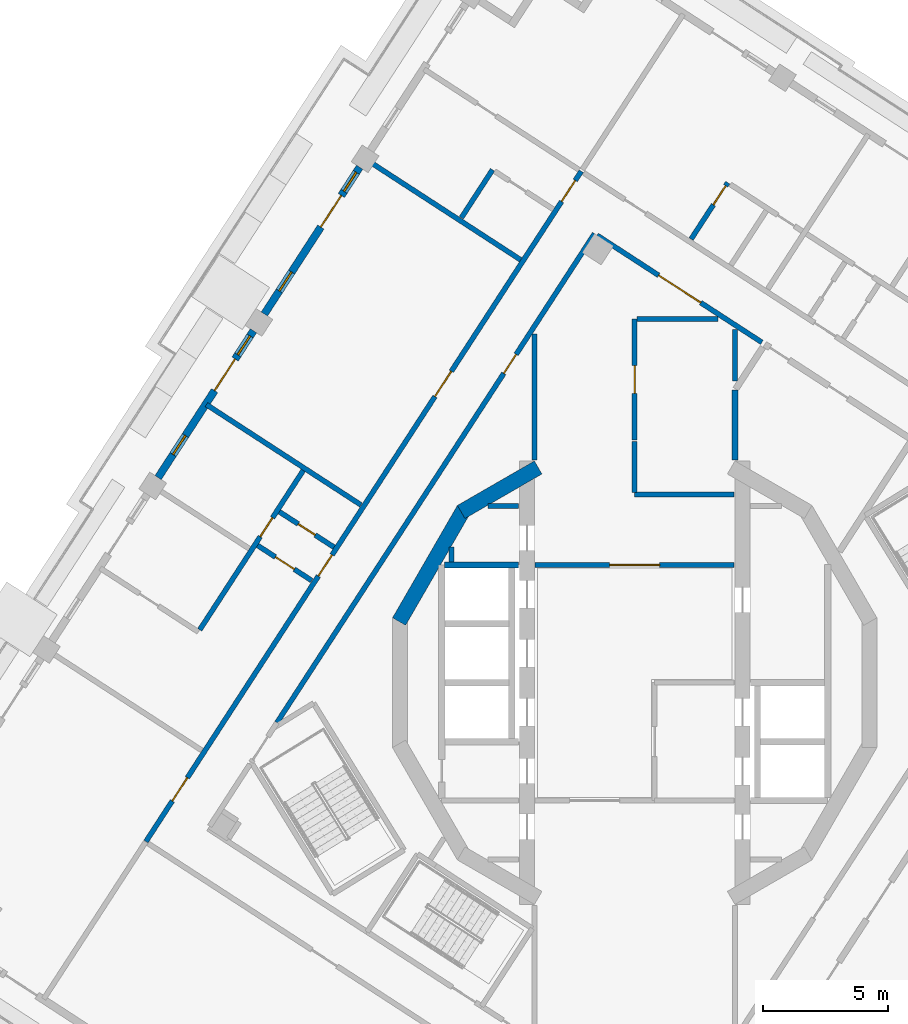
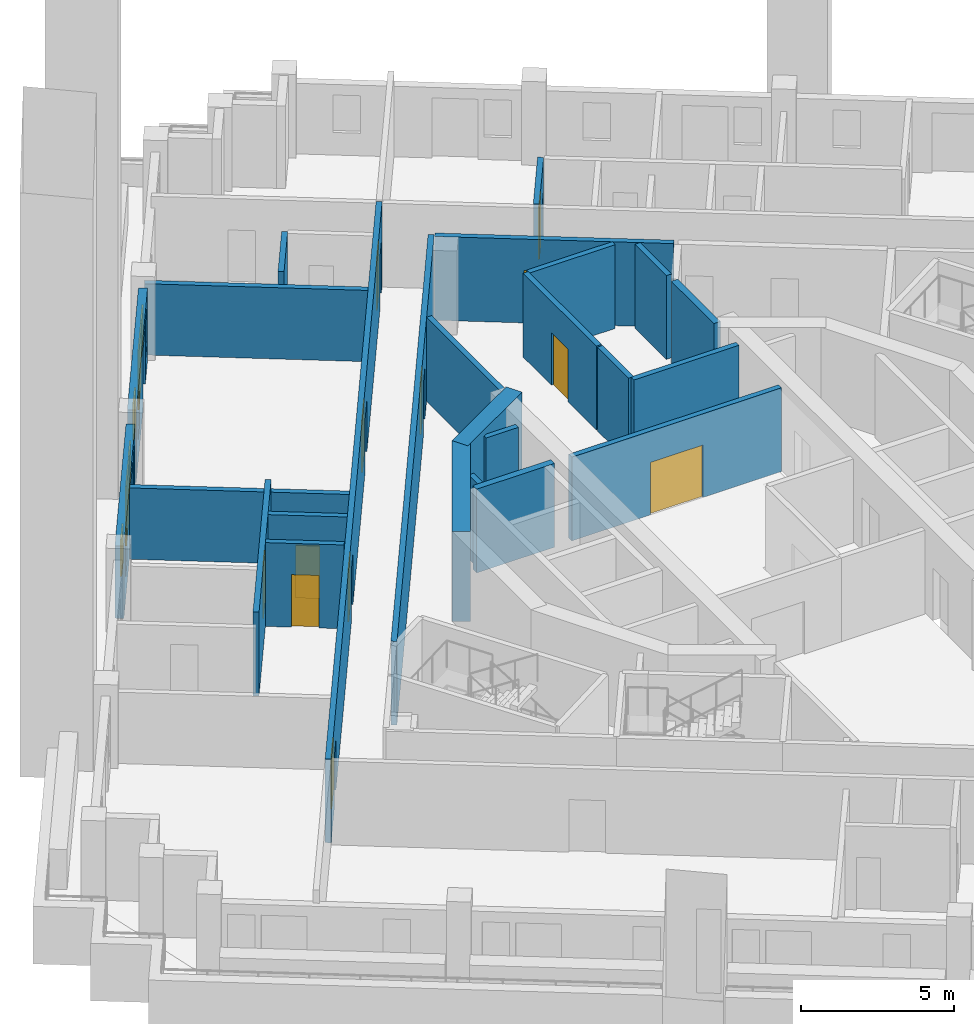
# One storey, part 6 of 15: 25 walls, 14 doors, 4 windows, 18 openings.
"""IFC4 building model written with IfcOpenShell, lengths in metres."""

from ifc_helpers import new_model, si_unit, direction, frame, frame_2d, origin, place, context, subcontext, project, spatial, rectangle, extrude, material, layer, layer_set, type_object, element, fill, save


model = new_model("IFC4")

# Units and contexts
model_context = context("Model", 3, precision=1e-05, world=origin(), true_north=direction((0.0, 1.0)))
body_context = subcontext(model_context, "Body", "Model", "MODEL_VIEW")
ifc_project = project(units=[si_unit("LENGTHUNIT", "METRE"), si_unit("AREAUNIT", "SQUARE_METRE"), si_unit("VOLUMEUNIT", "CUBIC_METRE"), si_unit("PLANEANGLEUNIT", "RADIAN"), si_unit("MASSUNIT", "GRAM", prefix="KILO")], contexts=[model_context])

# Site, building, storey
site_placement = place(None, origin())
site = spatial("IfcSite", under=ifc_project, at=site_placement, CompositionType="ELEMENT")
building_placement = place(site_placement, origin())
building = spatial("IfcBuilding", under=site, at=building_placement, Name="Cantera Rosa Tower", CompositionType="ELEMENT")
storey_placement = place(building_placement, frame((0.0, 0.0, 250.5)))
storey = spatial("IfcBuildingStorey", under=building, at=storey_placement, Name="L55", CompositionType="ELEMENT", Elevation=250.5)

# Wall
ifc_material_1 = material(Name="Gypsum board partition")
ifc_layer_1 = layer(ifc_material_1, 0.199951171875)
ifc_layer_set_1 = layer_set([ifc_layer_1], Name="CORRIDOR WALL 200 H3350")
wall_type_1 = type_object("IfcWallType", Name="CORRIDOR WALL 200 H3350", PredefinedType="PARTITIONING", material=ifc_layer_set_1)
wall_1_placement = place(storey_placement, frame((-4.0, 13.90087890625, 0.0), z_axis=(0.0, 0.0, 1.0), x_axis=(0.0, -1.0, 0.0)))
element("IfcWall", 1, at=wall_1_placement, inside=storey, type_object=wall_type_1, Name="CORRIDOR WALL L55-041", PredefinedType="PARTITIONING", context=body_context, shape_type="SweptSolid", body=[
    extrude(rectangle(XDim=5.02197265625, YDim=0.199951171875, at=frame_2d((2.510986328125, 0.0))), origin(), (0.0, 0.0, 1.0), 3.35009765625),
])

# Wall, opening, door
wall_2_placement = place(storey_placement, frame((-3.969970703125, 4.699951171875, 0.0), z_axis=(0.0, 0.0, 1.0), x_axis=(1.0, 0.0, 0.0)))
wall_2 = element("IfcWall", 2, at=wall_2_placement, inside=storey, type_object=wall_type_1, Name="CORRIDOR WALL L55-042", PredefinedType="PARTITIONING", context=body_context, shape_type="SweptSolid", body=[
    extrude(rectangle(XDim=7.93994140625, YDim=0.199951171875, at=frame_2d((3.969970703125, 0.0))), origin(), (0.0, 0.0, 1.0), 3.35009765625),
])
opening_1_placement = place(wall_2_placement, frame((2.969970703125, 0.0, 0.0)))
opening_1 = element("IfcOpeningElement", 3, at=opening_1_placement, cuts=wall_2, Name="Opening L55-009", PredefinedType="OPENING", context=body_context, shape_type="SweptSolid", body=[
    extrude(rectangle(XDim=2.0, YDim=2.10009765625, at=frame_2d((1.0, 1.050048828125))), frame((0.0, 0.10986328125, 0.0), z_axis=(0.0, -1.0, 0.0), x_axis=(1.0, 0.0, 0.0)), (0.0, 0.0, 1.0), 0.219970703125),
])
ifc_material_2 = material(Name="Steel S355J2 (EN 10025-2)", Category="steel")
door_type_1 = type_object("IfcDoorType", Name="LOBBY SCREEN DOOR 2000x2100", OperationType="NOTDEFINED", PredefinedType="DOOR", material=ifc_material_2)
door_1_placement = place(opening_1_placement, origin())
door_1 = element("IfcDoor", 4, at=door_1_placement, inside=storey, type_object=door_type_1, Name="DOOR L55-009", OperationType="NOTDEFINED", OverallHeight=2.10009765625, OverallWidth=2.0, PredefinedType="DOOR", context=body_context, shape_type="SweptSolid", body=[
    extrude(rectangle(XDim=2.0, YDim=2.10009765625, at=frame_2d((1.0, 1.050048828125))), frame((0.0, 0.02490234375, 0.0), z_axis=(0.0, -1.0, 0.0), x_axis=(1.0, 0.0, 0.0)), (0.0, 0.0, 1.0), 0.050048828125),
])
fill(opening_1, door_1)

# Wall, openings, doors
wall_3_placement = place(storey_placement, frame((-2.1318359375, 20.402587890625, 0.0), z_axis=(0.0, 0.0, 1.0), x_axis=(-0.544643219415, -0.838667850549, 0.0)))
wall_3 = element("IfcWall", 5, at=wall_3_placement, inside=storey, type_object=wall_type_1, Name="CORRIDOR WALL L55-046", PredefinedType="PARTITIONING", context=body_context, shape_type="SweptSolid", body=[
    extrude(rectangle(XDim=31.880126953125, YDim=0.199951171875, at=frame_2d((15.93994140625, 0.0))), origin(), (0.0, 0.0, 1.0), 3.35009765625),
])
opening_2_placement = place(wall_3_placement, frame((9.514892578125, 0.0, 0.0)))
opening_2 = element("IfcOpeningElement", 6, at=opening_2_placement, cuts=wall_3, Name="Opening L55-027", PredefinedType="OPENING", context=body_context, shape_type="SweptSolid", body=[
    extrude(rectangle(XDim=1.199951171875, YDim=2.10009765625, at=frame_2d((0.60009765625, 1.050048828125))), frame((0.0, 0.10986328125, 0.0), z_axis=(0.0, -1.0, 0.0), x_axis=(1.0, 0.0, 0.0)), (0.0, 0.0, 1.0), 0.219970703125),
])
opening_3_placement = place(wall_3_placement, frame((18.25, 0.0, 0.0)))
opening_3 = element("IfcOpeningElement", 7, at=opening_3_placement, cuts=wall_3, Name="Opening L55-028", PredefinedType="OPENING", context=body_context, shape_type="SweptSolid", body=[
    extrude(rectangle(XDim=1.0, YDim=2.10009765625, at=frame_2d((0.5, 1.050048828125))), frame((0.0, 0.10986328125, 0.0), z_axis=(0.0, -1.0, 0.0), x_axis=(1.0, 0.0, 0.0)), (0.0, 0.0, 1.0), 0.219970703125),
])
opening_4_placement = place(wall_3_placement, frame((0.43994140625, 0.0, 0.0)))
opening_4 = element("IfcOpeningElement", 8, at=opening_4_placement, cuts=wall_3, Name="Opening L55-033", PredefinedType="OPENING", context=body_context, shape_type="SweptSolid", body=[
    extrude(rectangle(XDim=1.0, YDim=2.10009765625, at=frame_2d((0.5, 1.050048828125))), frame((0.0, 0.10986328125, 0.0), z_axis=(0.0, -1.0, 0.0), x_axis=(1.0, 0.0, 0.0)), (0.0, 0.0, 1.0), 0.219970703125),
])
opening_5_placement = place(wall_3_placement, frame((28.85009765625, 0.0, 0.0)))
opening_5 = element("IfcOpeningElement", 9, at=opening_5_placement, cuts=wall_3, Name="Opening L55-036", PredefinedType="OPENING", context=body_context, shape_type="SweptSolid", body=[
    extrude(rectangle(XDim=1.10009765625, YDim=2.10009765625, at=frame_2d((0.550048828125, 1.050048828125))), frame((0.0, 0.10986328125, 0.0), z_axis=(0.0, -1.0, 0.0), x_axis=(1.0, 0.0, 0.0)), (0.0, 0.0, 1.0), 0.219970703125),
])
ifc_material_3 = material(Name="Timber door leaf", Category="wood")
door_type_2 = type_object("IfcDoorType", Name="ENTRANCE DOOR 1000x2100", OperationType="NOTDEFINED", PredefinedType="DOOR", material=ifc_material_3)
door_2_placement = place(opening_3_placement, origin())
door_2 = element("IfcDoor", 10, at=door_2_placement, inside=storey, type_object=door_type_2, Name="DOOR L55-028", OperationType="NOTDEFINED", OverallHeight=2.10009765625, OverallWidth=1.0, PredefinedType="DOOR", context=body_context, shape_type="SweptSolid", body=[
    extrude(rectangle(XDim=1.0, YDim=2.10009765625, at=frame_2d((0.5, 1.050048828125))), frame((0.0, 0.02490234375, 0.0), z_axis=(0.0, -1.0, 0.0), x_axis=(1.0, 0.0, 0.0)), (0.0, 0.0, 1.0), 0.050048828125),
])
fill(opening_3, door_2)
door_3_placement = place(opening_4_placement, origin())
door_3 = element("IfcDoor", 11, at=door_3_placement, inside=storey, type_object=door_type_2, Name="DOOR L55-033", OperationType="NOTDEFINED", OverallHeight=2.10009765625, OverallWidth=1.0, PredefinedType="DOOR", context=body_context, shape_type="SweptSolid", body=[
    extrude(rectangle(XDim=1.0, YDim=2.10009765625, at=frame_2d((0.5, 1.050048828125))), frame((0.0, 0.02490234375, 0.0), z_axis=(0.0, -1.0, 0.0), x_axis=(1.0, 0.0, 0.0)), (0.0, 0.0, 1.0), 0.050048828125),
])
fill(opening_4, door_3)
ifc_material_4 = material(Name="Timber door leaf", Category="wood")
door_type_3 = type_object("IfcDoorType", Name="ROOM DOOR 1100x2100", OperationType="NOTDEFINED", PredefinedType="DOOR", material=ifc_material_4)
door_4_placement = place(opening_5_placement, origin())
door_4 = element("IfcDoor", 12, at=door_4_placement, inside=storey, type_object=door_type_3, Name="DOOR L55-036", OperationType="NOTDEFINED", OverallHeight=2.10009765625, OverallWidth=1.10009765625, PredefinedType="DOOR", context=body_context, shape_type="SweptSolid", body=[
    extrude(rectangle(XDim=1.10009765625, YDim=2.10009765625, at=frame_2d((0.550048828125, 1.050048828125))), frame((0.0, 0.02490234375, 0.0), z_axis=(0.0, -1.0, 0.0), x_axis=(1.0, 0.0, 0.0)), (0.0, 0.0, 1.0), 0.050048828125),
])
fill(opening_5, door_4)
ifc_material_5 = material(Name="Timber door leaf", Category="wood")
door_type_4 = type_object("IfcDoorType", Name="ROOM DOOR 1200x2100", OperationType="NOTDEFINED", PredefinedType="DOOR", material=ifc_material_5)
door_5_placement = place(opening_2_placement, origin())
door_5 = element("IfcDoor", 13, at=door_5_placement, inside=storey, type_object=door_type_4, Name="DOOR L55-027", OperationType="NOTDEFINED", OverallHeight=2.10009765625, OverallWidth=1.199951171875, PredefinedType="DOOR", context=body_context, shape_type="SweptSolid", body=[
    extrude(rectangle(XDim=1.199951171875, YDim=2.10009765625, at=frame_2d((0.60009765625, 1.050048828125))), frame((0.0, 0.02490234375, 0.0), z_axis=(0.0, -1.0, 0.0), x_axis=(1.0, 0.0, 0.0)), (0.0, 0.0, 1.0), 0.050048828125),
])
fill(opening_2, door_5)

# Wall, opening, door
wall_4_placement = place(storey_placement, frame((-1.6025390625, 17.91259765625, 0.0), z_axis=(0.0, 0.0, 1.0), x_axis=(-0.544642173362, -0.838668529871, 0.0)))
wall_4 = element("IfcWall", 14, at=wall_4_placement, inside=storey, type_object=wall_type_1, Name="CORRIDOR WALL L55-050", PredefinedType="PARTITIONING", context=body_context, shape_type="SweptSolid", body=[
    extrude(rectangle(XDim=23.255126953125, YDim=0.199951171875, at=frame_2d((11.62744140625, 0.0))), origin(), (0.0, 0.0, 1.0), 3.35009765625),
])
opening_6_placement = place(wall_4_placement, frame((5.744140625, 0.0, 0.0)))
opening_6 = element("IfcOpeningElement", 15, at=opening_6_placement, cuts=wall_4, Name="Opening L55-004", PredefinedType="OPENING", context=body_context, shape_type="SweptSolid", body=[
    extrude(rectangle(XDim=0.89990234375, YDim=2.10009765625, at=frame_2d((0.449951171875, 1.050048828125))), frame((0.0, 0.10986328125, 0.0), z_axis=(0.0, -1.0, 0.0), x_axis=(1.0, 0.0, 0.0)), (0.0, 0.0, 1.0), 0.219970703125),
])
ifc_material_6 = material(Name="Timber door leaf", Category="wood")
door_type_5 = type_object("IfcDoorType", Name="SERVICE DOOR 900x2100", OperationType="NOTDEFINED", PredefinedType="DOOR", material=ifc_material_6)
door_6_placement = place(opening_6_placement, origin())
door_6 = element("IfcDoor", 16, at=door_6_placement, inside=storey, type_object=door_type_5, Name="DOOR L55-004", OperationType="NOTDEFINED", OverallHeight=2.10009765625, OverallWidth=0.89990234375, PredefinedType="DOOR", context=body_context, shape_type="SweptSolid", body=[
    extrude(rectangle(XDim=0.89990234375, YDim=2.10009765625, at=frame_2d((0.449951171875, 1.050048828125))), frame((0.0, 0.02490234375, 0.0), z_axis=(0.0, -1.0, 0.0), x_axis=(1.0, 0.0, 0.0)), (0.0, 0.0, 1.0), 0.050048828125),
])
fill(opening_6, door_6)

# Walls
wall_5_placement = place(storey_placement, frame((0.0, 7.5, 0.0), z_axis=(0.0, 0.0, 1.0), x_axis=(1.0, 0.0, 0.0)))
element("IfcWall", 17, at=wall_5_placement, inside=storey, type_object=wall_type_1, Name="CORRIDOR WALL L55-051", PredefinedType="PARTITIONING", context=body_context, shape_type="SweptSolid", body=[
    extrude(rectangle(XDim=3.969970703125, YDim=0.199951171875, at=frame_2d((1.98486328125, 0.0))), origin(), (0.0, 0.0, 1.0), 3.35009765625),
])
wall_6_placement = place(storey_placement, frame((0.0, 9.62939453125, 0.0), z_axis=(0.0, 0.0, 1.0), x_axis=(0.0, -1.0, 0.0)))
element("IfcWall", 18, at=wall_6_placement, inside=storey, type_object=wall_type_1, Name="CORRIDOR WALL L55-052", PredefinedType="PARTITIONING", context=body_context, shape_type="SweptSolid", body=[
    extrude(rectangle(XDim=2.04931640625, YDim=0.199951171875, at=frame_2d((1.024658203125, 0.0))), origin(), (0.0, 0.0, 1.0), 3.35009765625),
])

# Wall, opening, door
wall_7_placement = place(storey_placement, frame((0.0, 14.5, 0.0), z_axis=(0.0, 0.0, 1.0), x_axis=(0.0, -1.0, 0.0)))
wall_7 = element("IfcWall", 19, at=wall_7_placement, inside=storey, type_object=wall_type_1, Name="CORRIDOR WALL L55-053", PredefinedType="PARTITIONING", context=body_context, shape_type="SweptSolid", body=[
    extrude(rectangle(XDim=4.810791015625, YDim=0.199951171875, at=frame_2d((2.4052734375, 0.0))), origin(), (0.0, 0.0, 1.0), 3.35009765625),
])
opening_7_placement = place(wall_7_placement, frame((1.85546875, 0.0, 0.0)))
opening_7 = element("IfcOpeningElement", 20, at=opening_7_placement, cuts=wall_7, Name="Opening L55-013", PredefinedType="OPENING", context=body_context, shape_type="SweptSolid", body=[
    extrude(rectangle(XDim=1.10009765625, YDim=2.10009765625, at=frame_2d((0.550048828125, 1.050048828125))), frame((0.0, 0.10986328125, 0.0), z_axis=(0.0, -1.0, 0.0), x_axis=(1.0, 0.0, 0.0)), (0.0, 0.0, 1.0), 0.219970703125),
])
door_7_placement = place(opening_7_placement, origin())
door_7 = element("IfcDoor", 21, at=door_7_placement, inside=storey, type_object=door_type_3, Name="DOOR L55-013", OperationType="NOTDEFINED", OverallHeight=2.10009765625, OverallWidth=1.10009765625, PredefinedType="DOOR", context=body_context, shape_type="SweptSolid", body=[
    extrude(rectangle(XDim=1.10009765625, YDim=2.10009765625, at=frame_2d((0.550048828125, 1.050048828125))), frame((0.0, 0.02490234375, 0.0), z_axis=(0.0, -1.0, 0.0), x_axis=(1.0, 0.0, 0.0)), (0.0, 0.0, 1.0), 0.050048828125),
])
fill(opening_7, door_7)

# Wall
wall_8_placement = place(storey_placement, frame((3.33251953125, 14.5, 0.0), z_axis=(0.0, 0.0, 1.0), x_axis=(-1.0, 0.0, 0.0)))
element("IfcWall", 22, at=wall_8_placement, inside=storey, type_object=wall_type_1, Name="CORRIDOR WALL L55-062", PredefinedType="PARTITIONING", context=body_context, shape_type="SweptSolid", body=[
    extrude(rectangle(XDim=3.232421875, YDim=0.199951171875, at=frame_2d((1.6162109375, 0.0))), origin(), (0.0, 0.0, 1.0), 3.35009765625),
])

# Wall, opening, door
wall_9_placement = place(storey_placement, frame((5.0732421875, 13.577392578125, 0.0), z_axis=(0.0, 0.0, 1.0), x_axis=(-0.838668367485, 0.544642423411, 0.0)))
wall_9 = element("IfcWall", 23, at=wall_9_placement, inside=storey, type_object=wall_type_1, Name="CORRIDOR WALL L55-074", PredefinedType="PARTITIONING", context=body_context, shape_type="SweptSolid", body=[
    extrude(rectangle(XDim=7.840087890625, YDim=0.199951171875, at=frame_2d((3.919921875, 0.0))), origin(), (0.0, 0.0, 1.0), 3.35009765625),
])
opening_8_placement = place(wall_9_placement, frame((2.909912109375, 0.0, 0.0)))
opening_8 = element("IfcOpeningElement", 24, at=opening_8_placement, cuts=wall_9, Name="Opening L55-008", PredefinedType="OPENING", context=body_context, shape_type="SweptSolid", body=[
    extrude(rectangle(XDim=2.0, YDim=2.10009765625, at=frame_2d((1.0, 1.050048828125))), frame((0.0, 0.10986328125, 0.0), z_axis=(0.0, -1.0, 0.0), x_axis=(1.0, 0.0, 0.0)), (0.0, 0.0, 1.0), 0.219970703125),
])
door_8_placement = place(opening_8_placement, origin())
door_8 = element("IfcDoor", 25, at=door_8_placement, inside=storey, type_object=door_type_1, Name="DOOR L55-008", OperationType="NOTDEFINED", OverallHeight=2.10009765625, OverallWidth=2.0, PredefinedType="DOOR", context=body_context, shape_type="SweptSolid", body=[
    extrude(rectangle(XDim=2.0, YDim=2.10009765625, at=frame_2d((1.0, 1.050048828125))), frame((0.0, 0.02490234375, 0.0), z_axis=(0.0, -1.0, 0.0), x_axis=(1.0, 0.0, 0.0)), (0.0, 0.0, 1.0), 0.050048828125),
])
fill(opening_8, door_8)

# Wall, openings, windows, door
ifc_material_7 = material(Name="Hollow clay masonry with cantera stone cladding", Category="masonry")
ifc_layer_2 = layer(ifc_material_7, 0.300048828125)
ifc_layer_set_2 = layer_set([ifc_layer_2], Name="EW-LOGGIA 300 H2890")
wall_type_2 = type_object("IfcWallType", Name="EW-LOGGIA 300 H2890", PredefinedType="SOLIDWALL", material=ifc_layer_set_2)
wall_10_placement = place(storey_placement, frame((-10.970703125, 20.5625, 0.0), z_axis=(0.0, 0.0, 1.0), x_axis=(-0.544651451949, -0.838662504164, 0.0)))
wall_10 = element("IfcWall", 26, at=wall_10_placement, inside=storey, type_object=wall_type_2, Name="EN-L55-W08", PredefinedType="SOLIDWALL", context=body_context, shape_type="SweptSolid", body=[
    extrude(rectangle(XDim=6.980224609375, YDim=0.300048828125, at=frame_2d((3.490234375, 0.0))), origin(), (0.0, 0.0, 1.0), 2.889892578125),
])
opening_9_placement = place(wall_10_placement, frame((0.2451171875, 0.0, 0.89990234375)))
opening_9 = element("IfcOpeningElement", 27, at=opening_9_placement, cuts=wall_10, Name="Opening L55-W16", PredefinedType="OPENING", context=body_context, shape_type="SweptSolid", body=[
    extrude(rectangle(XDim=0.89990234375, YDim=1.5, at=frame_2d((0.449951171875, 0.75))), frame((0.0, 0.159912109375, 0.0), z_axis=(0.0, -1.0, 0.0), x_axis=(1.0, 0.0, 0.0)), (0.0, 0.0, 1.0), 0.320068359375),
])
opening_10_placement = place(wall_10_placement, frame((1.344970703125, 0.0, 0.0)))
opening_10 = element("IfcOpeningElement", 28, at=opening_10_placement, cuts=wall_10, Name="Opening L55-TD17", PredefinedType="OPENING", context=body_context, shape_type="SweptSolid", body=[
    extrude(rectangle(XDim=1.5, YDim=2.39990234375, at=frame_2d((0.75, 1.199951171875))), frame((0.0, 0.159912109375, 0.0), z_axis=(0.0, -1.0, 0.0), x_axis=(1.0, 0.0, 0.0)), (0.0, 0.0, 1.0), 0.320068359375),
])
opening_11_placement = place(wall_10_placement, frame((4.985107421875, 0.0, 0.89990234375)))
opening_11 = element("IfcOpeningElement", 29, at=opening_11_placement, cuts=wall_10, Name="Opening L55-W18", PredefinedType="OPENING", context=body_context, shape_type="SweptSolid", body=[
    extrude(rectangle(XDim=0.89990234375, YDim=1.5, at=frame_2d((0.449951171875, 0.75))), frame((0.0, 0.159912109375, 0.0), z_axis=(0.0, -1.0, 0.0), x_axis=(1.0, 0.0, 0.0)), (0.0, 0.0, 1.0), 0.320068359375),
])
ifc_material_8 = material(Name="Aluminium frame with clear glass", Category="aluminium")
window_type = type_object("IfcWindowType", Name="Residential window 900x1500", PartitioningType="SINGLE_PANEL", PredefinedType="WINDOW", material=ifc_material_8)
window_1_placement = place(opening_9_placement, origin())
window_1 = element("IfcWindow", 30, at=window_1_placement, inside=storey, type_object=window_type, Name="WINDOW L55-W16", OverallHeight=1.5, OverallWidth=0.89990234375, PartitioningType="SINGLE_PANEL", PredefinedType="WINDOW", context=body_context, shape_type="SweptSolid", body=[
    extrude(rectangle(XDim=0.89990234375, YDim=1.5, at=frame_2d((0.449951171875, 0.75))), frame((0.0, 0.030029296875, 0.0), z_axis=(0.0, -1.0, 0.0), x_axis=(1.0, 0.0, 0.0)), (0.0, 0.0, 1.0), 0.06005859375),
])
fill(opening_9, window_1)
window_2_placement = place(opening_11_placement, origin())
window_2 = element("IfcWindow", 31, at=window_2_placement, inside=storey, type_object=window_type, Name="WINDOW L55-W18", OverallHeight=1.5, OverallWidth=0.89990234375, PartitioningType="SINGLE_PANEL", PredefinedType="WINDOW", context=body_context, shape_type="SweptSolid", body=[
    extrude(rectangle(XDim=0.89990234375, YDim=1.5, at=frame_2d((0.449951171875, 0.75))), frame((0.0, 0.030029296875, 0.0), z_axis=(0.0, -1.0, 0.0), x_axis=(1.0, 0.0, 0.0)), (0.0, 0.0, 1.0), 0.06005859375),
])
fill(opening_11, window_2)
ifc_material_9 = material(Name="Aluminium frame with clear glass", Category="aluminium")
door_type_6 = type_object("IfcDoorType", Name="TD-R 1500x2400", OperationType="NOTDEFINED", PredefinedType="DOOR", material=ifc_material_9)
door_9_placement = place(opening_10_placement, origin())
door_9 = element("IfcDoor", 32, at=door_9_placement, inside=storey, type_object=door_type_6, Name="LOGGIA DOOR L55-TD17", OperationType="SLIDING_TO_LEFT", OverallHeight=2.39990234375, OverallWidth=1.5, PredefinedType="DOOR", context=body_context, shape_type="SweptSolid", body=[
    extrude(rectangle(XDim=1.5, YDim=2.39990234375, at=frame_2d((0.75, 1.199951171875))), frame((0.0, 0.02490234375, 0.0), z_axis=(0.0, -1.0, 0.0), x_axis=(1.0, 0.0, 0.0)), (0.0, 0.0, 1.0), 0.050048828125),
])
fill(opening_10, door_9)

wall_11_placement = place(storey_placement, frame((-15.2080078125, 14.03759765625, 0.0), z_axis=(0.0, 0.0, 1.0), x_axis=(-0.544651451949, -0.838662504164, 0.0)))
wall_11 = element("IfcWall", 33, at=wall_11_placement, inside=storey, type_object=wall_type_2, Name="EN-L55-W09", PredefinedType="SOLIDWALL", context=body_context, shape_type="SweptSolid", body=[
    extrude(rectangle(XDim=6.980224609375, YDim=0.300048828125, at=frame_2d((3.490234375, 0.0))), origin(), (0.0, 0.0, 1.0), 2.889892578125),
])
opening_12_placement = place(wall_11_placement, frame((0.2451171875, 0.0, 0.89990234375)))
opening_12 = element("IfcOpeningElement", 34, at=opening_12_placement, cuts=wall_11, Name="Opening L55-W19", PredefinedType="OPENING", context=body_context, shape_type="SweptSolid", body=[
    extrude(rectangle(XDim=0.89990234375, YDim=1.5, at=frame_2d((0.449951171875, 0.75))), frame((0.0, 0.159912109375, 0.0), z_axis=(0.0, -1.0, 0.0), x_axis=(1.0, 0.0, 0.0)), (0.0, 0.0, 1.0), 0.320068359375),
])
opening_13_placement = place(wall_11_placement, frame((1.344970703125, 0.0, 0.0)))
opening_13 = element("IfcOpeningElement", 35, at=opening_13_placement, cuts=wall_11, Name="Opening L55-TD20", PredefinedType="OPENING", context=body_context, shape_type="SweptSolid", body=[
    extrude(rectangle(XDim=1.5, YDim=2.39990234375, at=frame_2d((0.75, 1.199951171875))), frame((0.0, 0.159912109375, 0.0), z_axis=(0.0, -1.0, 0.0), x_axis=(1.0, 0.0, 0.0)), (0.0, 0.0, 1.0), 0.320068359375),
])
opening_14_placement = place(wall_11_placement, frame((4.985107421875, 0.0, 0.89990234375)))
opening_14 = element("IfcOpeningElement", 36, at=opening_14_placement, cuts=wall_11, Name="Opening L55-W21", PredefinedType="OPENING", context=body_context, shape_type="SweptSolid", body=[
    extrude(rectangle(XDim=0.89990234375, YDim=1.5, at=frame_2d((0.449951171875, 0.75))), frame((0.0, 0.159912109375, 0.0), z_axis=(0.0, -1.0, 0.0), x_axis=(1.0, 0.0, 0.0)), (0.0, 0.0, 1.0), 0.320068359375),
])
window_3_placement = place(opening_12_placement, origin())
window_3 = element("IfcWindow", 37, at=window_3_placement, inside=storey, type_object=window_type, Name="WINDOW L55-W19", OverallHeight=1.5, OverallWidth=0.89990234375, PartitioningType="SINGLE_PANEL", PredefinedType="WINDOW", context=body_context, shape_type="SweptSolid", body=[
    extrude(rectangle(XDim=0.89990234375, YDim=1.5, at=frame_2d((0.449951171875, 0.75))), frame((0.0, 0.030029296875, 0.0), z_axis=(0.0, -1.0, 0.0), x_axis=(1.0, 0.0, 0.0)), (0.0, 0.0, 1.0), 0.06005859375),
])
fill(opening_12, window_3)
window_4_placement = place(opening_14_placement, origin())
window_4 = element("IfcWindow", 38, at=window_4_placement, inside=storey, type_object=window_type, Name="WINDOW L55-W21", OverallHeight=1.5, OverallWidth=0.89990234375, PartitioningType="SINGLE_PANEL", PredefinedType="WINDOW", context=body_context, shape_type="SweptSolid", body=[
    extrude(rectangle(XDim=0.89990234375, YDim=1.5, at=frame_2d((0.449951171875, 0.75))), frame((0.0, 0.030029296875, 0.0), z_axis=(0.0, -1.0, 0.0), x_axis=(1.0, 0.0, 0.0)), (0.0, 0.0, 1.0), 0.06005859375),
])
fill(opening_14, window_4)
door_10_placement = place(opening_13_placement, origin())
door_10 = element("IfcDoor", 39, at=door_10_placement, inside=storey, type_object=door_type_6, Name="LOGGIA DOOR L55-TD20", OperationType="SLIDING_TO_LEFT", OverallHeight=2.39990234375, OverallWidth=1.5, PredefinedType="DOOR", context=body_context, shape_type="SweptSolid", body=[
    extrude(rectangle(XDim=1.5, YDim=2.39990234375, at=frame_2d((0.75, 1.199951171875))), frame((0.0, 0.02490234375, 0.0), z_axis=(0.0, -1.0, 0.0), x_axis=(1.0, 0.0, 0.0)), (0.0, 0.0, 1.0), 0.050048828125),
])
fill(opening_13, door_10)

# Wall, opening, door
ifc_material_10 = material(Name="Gypsum board partition")
ifc_layer_3 = layer(ifc_material_10, 0.199951171875)
ifc_layer_set_3 = layer_set([ifc_layer_3], Name="PARTITION 200 H3350")
wall_type_3 = type_object("IfcWallType", Name="PARTITION 200 H3350", PredefinedType="PARTITIONING", material=ifc_layer_set_3)
wall_12_placement = place(storey_placement, frame((-13.2216796875, 8.467041015625, 0.0), z_axis=(0.0, 0.0, 1.0), x_axis=(-0.544640749503, -0.838669454542, 0.0)))
wall_12 = element("IfcWall", 40, at=wall_12_placement, inside=storey, type_object=wall_type_3, Name="PARTITION L55-012", PredefinedType="PARTITIONING", context=body_context, shape_type="SweptSolid", body=[
    extrude(rectangle(XDim=7.580078125, YDim=0.199951171875, at=frame_2d((3.7900390625, 0.0))), origin(), (0.0, 0.0, 1.0), 3.35009765625),
])
opening_15_placement = place(wall_12_placement, frame((2.25, 0.0, 0.0)))
opening_15 = element("IfcOpeningElement", 41, at=opening_15_placement, cuts=wall_12, Name="Opening L55-031", PredefinedType="OPENING", context=body_context, shape_type="SweptSolid", body=[
    extrude(rectangle(XDim=0.89990234375, YDim=2.10009765625, at=frame_2d((0.449951171875, 1.050048828125))), frame((0.0, 0.10986328125, 0.0), z_axis=(0.0, -1.0, 0.0), x_axis=(1.0, 0.0, 0.0)), (0.0, 0.0, 1.0), 0.219970703125),
])
ifc_material_11 = material(Name="Timber door leaf", Category="wood")
door_type_7 = type_object("IfcDoorType", Name="ROOM DOOR 900x2100", OperationType="NOTDEFINED", PredefinedType="DOOR", material=ifc_material_11)
door_11_placement = place(opening_15_placement, origin())
door_11 = element("IfcDoor", 42, at=door_11_placement, inside=storey, type_object=door_type_7, Name="DOOR L55-031", OperationType="NOTDEFINED", OverallHeight=2.10009765625, OverallWidth=0.89990234375, PredefinedType="DOOR", context=body_context, shape_type="SweptSolid", body=[
    extrude(rectangle(XDim=0.89990234375, YDim=2.10009765625, at=frame_2d((0.449951171875, 1.050048828125))), frame((0.0, 0.02490234375, 0.0), z_axis=(0.0, -1.0, 0.0), x_axis=(1.0, 0.0, 0.0)), (0.0, 0.0, 1.0), 0.050048828125),
])
fill(opening_15, door_11)

wall_13_placement = place(storey_placement, frame((-12.880126953125, 4.072021484375, 0.0), z_axis=(0.0, 0.0, 1.0), x_axis=(-0.838657579454, 0.544659035015, 0.0)))
wall_13 = element("IfcWall", 43, at=wall_13_placement, inside=storey, type_object=wall_type_3, Name="PARTITION L55-014", PredefinedType="PARTITIONING", context=body_context, shape_type="SweptSolid", body=[
    extrude(rectangle(XDim=2.580078125, YDim=0.199951171875, at=frame_2d((1.2900390625, 0.0))), origin(), (0.0, 0.0, 1.0), 3.35009765625),
])
opening_16_placement = place(wall_13_placement, frame((0.830078125, 0.0, 0.0)))
opening_16 = element("IfcOpeningElement", 44, at=opening_16_placement, cuts=wall_13, Name="Opening L55-030", PredefinedType="OPENING", context=body_context, shape_type="SweptSolid", body=[
    extrude(rectangle(XDim=0.89990234375, YDim=2.10009765625, at=frame_2d((0.449951171875, 1.050048828125))), frame((0.0, 0.10986328125, 0.0), z_axis=(0.0, -1.0, 0.0), x_axis=(1.0, 0.0, 0.0)), (0.0, 0.0, 1.0), 0.219970703125),
])
door_12_placement = place(opening_16_placement, origin())
door_12 = element("IfcDoor", 45, at=door_12_placement, inside=storey, type_object=door_type_7, Name="DOOR L55-030", OperationType="NOTDEFINED", OverallHeight=2.10009765625, OverallWidth=0.89990234375, PredefinedType="DOOR", context=body_context, shape_type="SweptSolid", body=[
    extrude(rectangle(XDim=0.89990234375, YDim=2.10009765625, at=frame_2d((0.449951171875, 1.050048828125))), frame((0.0, 0.02490234375, 0.0), z_axis=(0.0, -1.0, 0.0), x_axis=(1.0, 0.0, 0.0)), (0.0, 0.0, 1.0), 0.050048828125),
])
fill(opening_16, door_12)

wall_14_placement = place(storey_placement, frame((-11.991943359375, 5.403076171875, 0.0), z_axis=(0.0, 0.0, 1.0), x_axis=(-0.838692381994, 0.544605442853, 0.0)))
wall_14 = element("IfcWall", 46, at=wall_14_placement, inside=storey, type_object=wall_type_3, Name="PARTITION L55-016", PredefinedType="PARTITIONING", context=body_context, shape_type="SweptSolid", body=[
    extrude(rectangle(XDim=2.60009765625, YDim=0.199951171875, at=frame_2d((1.300048828125, 0.0))), origin(), (0.0, 0.0, 1.0), 3.35009765625),
])
opening_17_placement = place(wall_14_placement, frame((0.89990234375, 0.0, 0.0)))
opening_17 = element("IfcOpeningElement", 47, at=opening_17_placement, cuts=wall_14, Name="Opening L55-029", PredefinedType="OPENING", context=body_context, shape_type="SweptSolid", body=[
    extrude(rectangle(XDim=0.800048828125, YDim=2.10009765625, at=frame_2d((0.39990234375, 1.050048828125))), frame((0.0, 0.10986328125, 0.0), z_axis=(0.0, -1.0, 0.0), x_axis=(1.0, 0.0, 0.0)), (0.0, 0.0, 1.0), 0.219970703125),
])
ifc_material_12 = material(Name="Timber door leaf", Category="wood")
door_type_8 = type_object("IfcDoorType", Name="BATHROOM DOOR 800x2100", OperationType="NOTDEFINED", PredefinedType="DOOR", material=ifc_material_12)
door_13_placement = place(opening_17_placement, origin())
door_13 = element("IfcDoor", 48, at=door_13_placement, inside=storey, type_object=door_type_8, Name="DOOR L55-029", OperationType="NOTDEFINED", OverallHeight=2.10009765625, OverallWidth=0.800048828125, PredefinedType="DOOR", context=body_context, shape_type="SweptSolid", body=[
    extrude(rectangle(XDim=0.800048828125, YDim=2.10009765625, at=frame_2d((0.39990234375, 1.050048828125))), frame((0.0, 0.02490234375, 0.0), z_axis=(0.0, -1.0, 0.0), x_axis=(1.0, 0.0, 0.0)), (0.0, 0.0, 1.0), 0.050048828125),
])
fill(opening_17, door_13)

# Walls
wall_15_placement = place(storey_placement, frame((-7.300048828125, 4.824951171875, 0.0), z_axis=(0.0, 0.0, 1.0), x_axis=(0.0, 1.0, 0.0)))
element("IfcWall", 49, at=wall_15_placement, inside=storey, type_object=wall_type_3, Name="PARTITION L55-028", PredefinedType="PARTITIONING", context=body_context, shape_type="SweptSolid", body=[
    extrude(rectangle(XDim=0.589599609375, YDim=0.199951171875, at=frame_2d((0.294921875, 0.0))), origin(), (0.0, 0.0, 1.0), 3.35009765625),
])
wall_16_placement = place(storey_placement, frame((-6.91357421875, 18.547607421875, 0.0), z_axis=(0.0, 0.0, 1.0), x_axis=(0.544578054805, 0.838710165805, 0.0)))
element("IfcWall", 50, at=wall_16_placement, inside=storey, type_object=wall_type_3, Name="PARTITION L55-029", PredefinedType="PARTITIONING", context=body_context, shape_type="SweptSolid", body=[
    extrude(rectangle(XDim=2.280029296875, YDim=0.199951171875, at=frame_2d((1.14013671875, 0.0))), origin(), (0.0, 0.0, 1.0), 3.35009765625),
])
wall_17_placement = place(storey_placement, frame((-5.84765625, 7.050048828125, 0.0), z_axis=(0.0, 0.0, 1.0), x_axis=(1.0, 0.0, 0.0)))
element("IfcWall", 51, at=wall_17_placement, inside=storey, type_object=wall_type_3, Name="PARTITION L55-032", PredefinedType="PARTITIONING", context=body_context, shape_type="SweptSolid", body=[
    extrude(rectangle(XDim=1.2177734375, YDim=0.199951171875, at=frame_2d((0.60888671875, 0.0))), origin(), (0.0, 0.0, 1.0), 3.35009765625),
])

# Wall, opening, door
wall_18_placement = place(storey_placement, frame((2.252685546875, 17.698486328125, 0.0), z_axis=(0.0, 0.0, 1.0), x_axis=(0.544674512884, 0.838647527281, 0.0)))
wall_18 = element("IfcWall", 52, at=wall_18_placement, inside=storey, type_object=wall_type_3, Name="PARTITION L55-061", PredefinedType="PARTITIONING", context=body_context, shape_type="SweptSolid", body=[
    extrude(rectangle(XDim=2.679931640625, YDim=0.199951171875, at=frame_2d((1.33984375, 0.0))), origin(), (0.0, 0.0, 1.0), 3.35009765625),
])
opening_18_placement = place(wall_18_placement, frame((1.6298828125, 0.0, 0.0)))
opening_18 = element("IfcOpeningElement", 53, at=opening_18_placement, cuts=wall_18, Name="Opening L55-026", PredefinedType="OPENING", context=body_context, shape_type="SweptSolid", body=[
    extrude(rectangle(XDim=0.89990234375, YDim=2.10009765625, at=frame_2d((0.449951171875, 1.050048828125))), frame((0.0, 0.10986328125, 0.0), z_axis=(0.0, -1.0, 0.0), x_axis=(1.0, 0.0, 0.0)), (0.0, 0.0, 1.0), 0.219970703125),
])
door_14_placement = place(opening_18_placement, origin())
door_14 = element("IfcDoor", 54, at=door_14_placement, inside=storey, type_object=door_type_7, Name="DOOR L55-026", OperationType="NOTDEFINED", OverallHeight=2.10009765625, OverallWidth=0.89990234375, PredefinedType="DOOR", context=body_context, shape_type="SweptSolid", body=[
    extrude(rectangle(XDim=0.89990234375, YDim=2.10009765625, at=frame_2d((0.449951171875, 1.050048828125))), frame((0.0, 0.02490234375, 0.0), z_axis=(0.0, -1.0, 0.0), x_axis=(1.0, 0.0, 0.0)), (0.0, 0.0, 1.0), 0.050048828125),
])
fill(opening_18, door_14)

# Walls
wall_19_placement = place(storey_placement, frame((4.0, 14.09423828125, 0.0), z_axis=(0.0, 0.0, 1.0), x_axis=(0.0, -1.0, 0.0)))
element("IfcWall", 55, at=wall_19_placement, inside=storey, type_object=wall_type_3, Name="PARTITION L55-069", PredefinedType="PARTITIONING", context=body_context, shape_type="SweptSolid", body=[
    extrude(rectangle(XDim=2.066650390625, YDim=0.199951171875, at=frame_2d((1.033203125, 0.0))), origin(), (0.0, 0.0, 1.0), 3.35009765625),
])
ifc_material_13 = material(Name="Gypsum board partition")
ifc_layer_4 = layer(ifc_material_13, 0.199951171875)
ifc_layer_set_4 = layer_set([ifc_layer_4], Name="PARTY WALL 200 H2850")
wall_type_4 = type_object("IfcWallType", Name="PARTY WALL 200 H2850", PredefinedType="PARTITIONING", material=ifc_layer_set_4)
wall_20_placement = place(storey_placement, frame((-10.91943359375, 7.09130859375, 0.0), z_axis=(0.0, 0.0, 1.0), x_axis=(-0.838684106336, 0.544618187155, 0.0)))
element("IfcWall", 56, at=wall_20_placement, inside=storey, type_object=wall_type_4, Name="PARTY WALL L55-017", PredefinedType="PARTITIONING", context=body_context, shape_type="SweptSolid", body=[
    extrude(rectangle(XDim=7.349853515625, YDim=0.199951171875, at=frame_2d((3.6748046875, 0.0))), origin(), (0.0, 0.0, 1.0), 2.85009765625),
])
wall_21_placement = place(storey_placement, frame((-10.727783203125, 20.881591796875, 0.0), z_axis=(0.0, 0.0, 1.0), x_axis=(0.838671355338, -0.544637822535, 0.0)))
element("IfcWall", 57, at=wall_21_placement, inside=storey, type_object=wall_type_4, Name="PARTY WALL L55-018", PredefinedType="PARTITIONING", context=body_context, shape_type="SweptSolid", body=[
    extrude(rectangle(XDim=7.369873046875, YDim=0.199951171875, at=frame_2d((3.68505859375, 0.0))), origin(), (0.0, 0.0, 1.0), 2.85009765625),
])
ifc_material_14 = material(Name="Concrete C50/60", Category="concrete")
ifc_layer_5 = layer(ifc_material_14, 0.60009765625)
ifc_layer_set_5 = layer_set([ifc_layer_5], Name="RC CORE WALL 600 C50/60")
wall_type_5 = type_object("IfcWallType", Name="RC CORE WALL 600 C50/60", PredefinedType="SHEAR", material=ifc_layer_set_5)
wall_22_placement = place(storey_placement, frame((-9.3994140625, 2.438232421875, 0.0), z_axis=(0.0, 0.0, 1.0), x_axis=(0.499989188378, 0.866031645787, 0.0)))
element("IfcWall", 58, at=wall_22_placement, inside=storey, type_object=wall_type_5, Name="CW-W4 L55", PredefinedType="SHEAR", context=body_context, shape_type="SweptSolid", body=[
    extrude(rectangle(XDim=5.17626953125, YDim=0.60009765625, at=frame_2d((2.588134765625, 0.0))), origin(), (0.0, 0.0, 1.0), 3.60009765625),
])
wall_23_placement = place(storey_placement, frame((-6.921142578125, 6.811279296875, 0.0), z_axis=(0.0, 0.0, 1.0), x_axis=(0.866039982607, 0.499974747889, 0.0)))
element("IfcWall", 59, at=wall_23_placement, inside=storey, type_object=wall_type_5, Name="CW-W5 L55", PredefinedType="SHEAR", context=body_context, shape_type="SweptSolid", body=[
    extrude(rectangle(XDim=3.546142578125, YDim=0.60009765625, at=frame_2d((1.77294921875, 0.0))), origin(), (0.0, 0.0, 1.0), 3.60009765625),
])
ifc_material_15 = material(Name="Masonry blockwork", Category="masonry")
ifc_layer_6 = layer(ifc_material_15, 0.25)
ifc_layer_set_6 = layer_set([ifc_layer_6], Name="SHAFT WALL 250 H3350")
wall_type_6 = type_object("IfcWallType", Name="SHAFT WALL 250 H3350", PredefinedType="SOLIDWALL", material=ifc_layer_set_6)
wall_24_placement = place(storey_placement, frame((-7.580078125, 4.699951171875, 0.0), z_axis=(0.0, 0.0, 1.0), x_axis=(1.0, 0.0, 0.0)))
element("IfcWall", 60, at=wall_24_placement, inside=storey, type_object=wall_type_6, Name="SHAFT WALL L55-026", PredefinedType="SOLIDWALL", context=body_context, shape_type="SweptSolid", body=[
    extrude(rectangle(XDim=2.9501953125, YDim=0.25, at=frame_2d((1.47509765625, 0.0))), origin(), (0.0, 0.0, 1.0), 3.35009765625),
])
wall_25_placement = place(storey_placement, frame((4.0, 8.87890625, 0.0), z_axis=(0.0, 0.0, 1.0), x_axis=(0.0, 1.0, 0.0)))
element("IfcWall", 61, at=wall_25_placement, inside=storey, type_object=wall_type_6, Name="SHAFT WALL L55-067", PredefinedType="SOLIDWALL", context=body_context, shape_type="SweptSolid", body=[
    extrude(rectangle(XDim=2.788818359375, YDim=0.25, at=frame_2d((1.39453125, 0.0))), origin(), (0.0, 0.0, 1.0), 3.35009765625),
])

save(model, "model.ifc")
